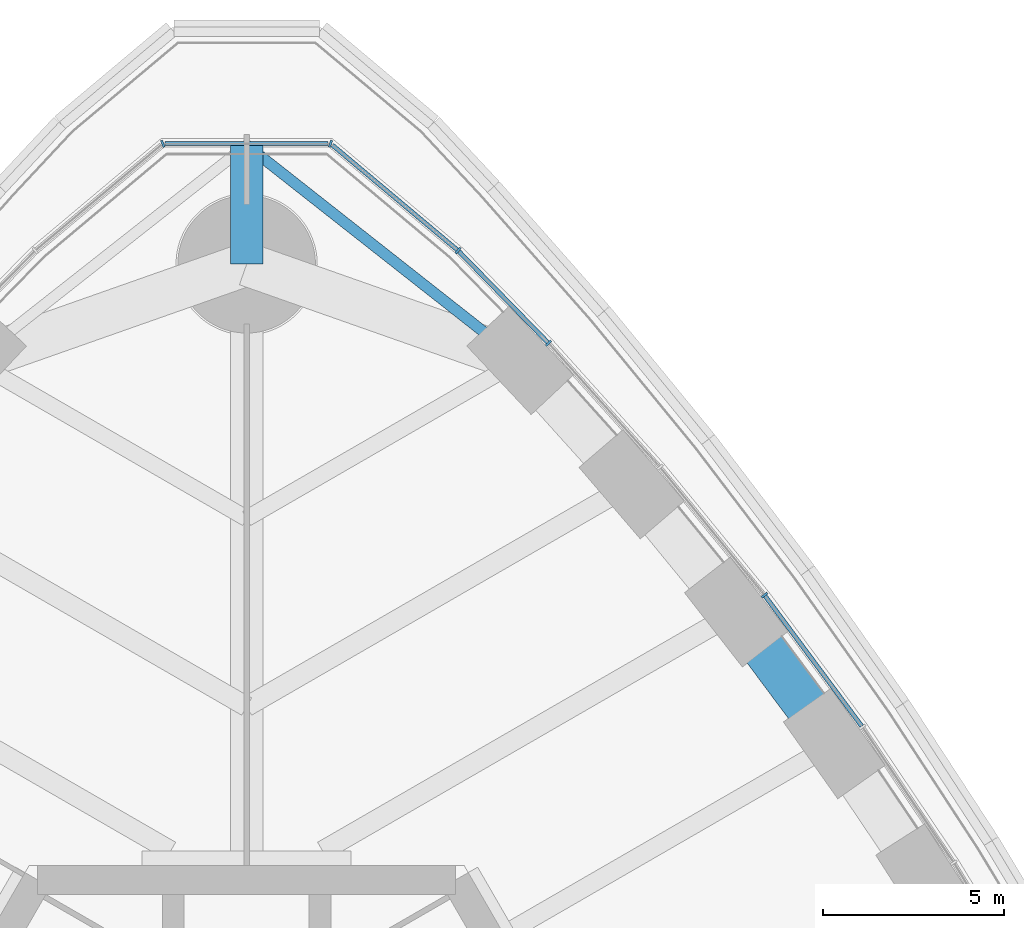
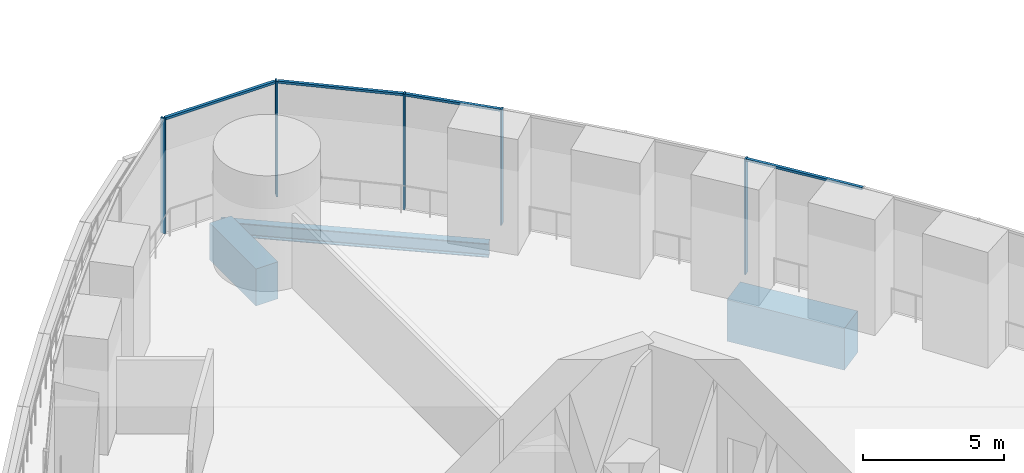
# One storey, part 9 of 31: 9 members, 3 beams, 2 elements without a shape of their own.
"""IFC4 building model written with IfcOpenShell, lengths in metres."""

from ifc_helpers import new_model, si_unit, direction, frame, origin, origin_2d, place, context, subcontext, project, spatial, rectangle, i_section, extrude, material, material_profile, profile_set, type_object, element, aggregate, save


model = new_model("IFC4")

# Units and contexts
model_context = context("Model", 3, precision=1e-05, world=origin(), true_north=direction((0.0, 1.0)))
body_context = subcontext(model_context, "Body", "Model", "MODEL_VIEW")
ifc_project = project(units=[si_unit("LENGTHUNIT", "METRE"), si_unit("AREAUNIT", "SQUARE_METRE"), si_unit("VOLUMEUNIT", "CUBIC_METRE"), si_unit("PLANEANGLEUNIT", "RADIAN"), si_unit("MASSUNIT", "GRAM", prefix="KILO")], contexts=[model_context])

# Site, building, storey
site_placement = place(None, origin())
site = spatial("IfcSite", under=ifc_project, at=site_placement, CompositionType="ELEMENT")
building_placement = place(site_placement, origin())
building = spatial("IfcBuilding", under=site, at=building_placement, Name="Trefoil Bronze Tower", CompositionType="ELEMENT")
storey_placement = place(building_placement, frame((0.0, 0.0, 184.699951171875)))
storey = spatial("IfcBuildingStorey", under=building, at=storey_placement, Name="L42", CompositionType="ELEMENT", Elevation=184.699951171875)

# Curtain wall, members
ifc_material_1 = material(Name="Tinted solar-control glass", Category="glass")
curtain_wall_type_1 = type_object("IfcCurtainWallType", Name="Bronze rounded corner curtain wall", PredefinedType="USERDEFINED", material=ifc_material_1)
curtain_wall_1_placement = place(storey_placement, origin())
curtain_wall_1 = element("IfcCurtainWall", 1, at=curtain_wall_1_placement, inside=storey, type_object=curtain_wall_type_1, Name="CW-B L42 K2", ObjectType="CURTAIN WALL", PredefinedType="USERDEFINED")
ifc_material_2 = material(Name="Bronze-finish aluminium", Category="aluminium")
ifc_material_profile_1 = material_profile(ifc_material_2, rectangle(XDim=0.199951171875, YDim=0.06005859375, at=origin_2d()), Name="CW-B mullion")
ifc_profile_set_1 = profile_set([ifc_material_profile_1], Name="Bronze-finish aluminium")
member_type_1 = type_object("IfcMemberType", Name="Bronze rounded corner curtain wall mullion", PredefinedType="MULLION", material=ifc_profile_set_1)
member_1_placement = place(storey_placement, frame((5.837890625, 33.3779296875, 0.0), z_axis=(0.0, 0.0, 1.0), x_axis=(-0.642787609687, -0.766044443119, 0.0)))
member_1 = element("IfcMember", 2, at=member_1_placement, type_object=member_type_1, Name="CW-B L42 K2 mullion 1", PredefinedType="MULLION", context=body_context, shape_type="SweptSolid", body=[
    extrude(rectangle(XDim=0.199951171875, YDim=0.06005859375, at=origin_2d()), origin(), (0.0, 0.0, 1.0), 4.97998046875),
])
member_2_placement = place(storey_placement, frame((2.314453125, 36.326416015625, 0.0), z_axis=(0.0, 0.0, 1.0), x_axis=(-0.342020143326, -0.939692620786, 0.0)))
member_2 = element("IfcMember", 3, at=member_2_placement, type_object=member_type_1, Name="CW-B L42 K2 mullion 2", PredefinedType="MULLION", context=body_context, shape_type="SweptSolid", body=[
    extrude(rectangle(XDim=0.199951171875, YDim=0.06005859375, at=origin_2d()), origin(), (0.0, 0.0, 1.0), 4.97998046875),
])
member_3_placement = place(storey_placement, frame((-2.314453125, 36.326416015625, 0.0), z_axis=(0.0, 0.0, 1.0), x_axis=(0.342020143326, -0.939692620786, 0.0)))
member_3 = element("IfcMember", 4, at=member_3_placement, type_object=member_type_1, Name="CW-B L42 K2 mullion 3", PredefinedType="MULLION", context=body_context, shape_type="SweptSolid", body=[
    extrude(rectangle(XDim=0.199951171875, YDim=0.06005859375, at=origin_2d()), origin(), (0.0, 0.0, 1.0), 4.97998046875),
])
ifc_material_3 = material(Name="Bronze-finish aluminium", Category="aluminium")
ifc_material_profile_2 = material_profile(ifc_material_3, rectangle(XDim=0.1201171875, YDim=0.10009765625, at=origin_2d()), Name="CW-B transom")
ifc_profile_set_2 = profile_set([ifc_material_profile_2], Name="Bronze-finish aluminium")
member_type_2 = type_object("IfcMemberType", Name="Bronze rounded corner curtain wall transom", PredefinedType="USERDEFINED", material=ifc_profile_set_2)
member_4_placement = place(storey_placement, frame((5.814697265625, 33.397216796875, 4.929931640625), z_axis=(-0.766046761698, 0.642784846501, 0.0), x_axis=(-0.642784846501, -0.766046761698, 0.0)))
member_4 = element("IfcMember", 5, at=member_4_placement, type_object=member_type_2, Name="CW-B L42 K2 transom 1", ObjectType="TRANSOM", PredefinedType="USERDEFINED", context=body_context, shape_type="SweptSolid", body=[
    extrude(rectangle(XDim=0.1201171875, YDim=0.10009765625, at=origin_2d()), origin(), (0.0, 0.0, 1.0), 4.5),
])
member_5_placement = place(storey_placement, frame((2.250244140625, 36.33251953125, 4.929931640625), z_axis=(-1.0, 0.0, 0.0), x_axis=(0.0, -1.0, 0.0)))
member_5 = element("IfcMember", 6, at=member_5_placement, type_object=member_type_2, Name="CW-B L42 K2 transom 2", ObjectType="TRANSOM", PredefinedType="USERDEFINED", context=body_context, shape_type="SweptSolid", body=[
    extrude(rectangle(XDim=0.1201171875, YDim=0.10009765625, at=origin_2d()), origin(), (0.0, 0.0, 1.0), 4.50048828125),
])
aggregate(curtain_wall_1, [member_1, member_2, member_3, member_4, member_5])

ifc_material_4 = material(Name="Tinted solar-control glass", Category="glass")
curtain_wall_type_2 = type_object("IfcCurtainWallType", Name="Bronze sky lobby curtain wall", PredefinedType="USERDEFINED", material=ifc_material_4)
curtain_wall_2_placement = place(storey_placement, origin())
curtain_wall_2 = element("IfcCurtainWall", 7, at=curtain_wall_2_placement, inside=storey, type_object=curtain_wall_type_2, Name="CW-D L42 F2", ObjectType="CURTAIN WALL", PredefinedType="USERDEFINED")
ifc_material_5 = material(Name="Bronze-finish aluminium", Category="aluminium")
ifc_material_profile_3 = material_profile(ifc_material_5, rectangle(XDim=0.199951171875, YDim=0.06005859375, at=origin_2d()), Name="CW-D mullion")
ifc_profile_set_3 = profile_set([ifc_material_profile_3], Name="Bronze-finish aluminium")
member_type_3 = type_object("IfcMemberType", Name="Bronze sky lobby curtain wall mullion", PredefinedType="MULLION", material=ifc_profile_set_3)
member_6_placement = place(storey_placement, frame((14.300537109375, 23.86083984375, 0.0), z_axis=(0.0, 0.0, 1.0), x_axis=(-0.788821461078, -0.614622406476, 0.0)))
member_6 = element("IfcMember", 8, at=member_6_placement, type_object=member_type_3, Name="CW-D L42 F2 mullion 10", PredefinedType="MULLION", context=body_context, shape_type="SweptSolid", body=[
    extrude(rectangle(XDim=0.199951171875, YDim=0.06005859375, at=origin_2d()), origin(), (0.0, 0.0, 1.0), 4.97998046875),
])
member_7_placement = place(storey_placement, frame((8.336181640625, 30.81982421875, 0.0), z_axis=(0.0, 0.0, 1.0), x_axis=(-0.729859580661, -0.683597098091, 0.0)))
member_7 = element("IfcMember", 9, at=member_7_placement, type_object=member_type_3, Name="CW-D L42 F2 mullion 12", PredefinedType="MULLION", context=body_context, shape_type="SweptSolid", body=[
    extrude(rectangle(XDim=0.199951171875, YDim=0.06005859375, at=origin_2d()), origin(), (0.0, 0.0, 1.0), 4.97998046875),
])
ifc_material_6 = material(Name="Bronze-finish aluminium", Category="aluminium")
ifc_material_profile_4 = material_profile(ifc_material_6, rectangle(XDim=0.1201171875, YDim=0.10009765625, at=origin_2d()), Name="CW-D transom")
ifc_profile_set_4 = profile_set([ifc_material_profile_4], Name="Bronze-finish aluminium")
member_type_4 = type_object("IfcMemberType", Name="Bronze sky lobby curtain wall transom", PredefinedType="USERDEFINED", material=ifc_profile_set_4)
member_8_placement = place(storey_placement, frame((16.984619140625, 20.24609375, 4.929931640625), z_axis=(-0.596148010647, 0.802874553963, 0.0), x_axis=(-0.802874553963, -0.596148010647, 0.0)))
member_8 = element("IfcMember", 10, at=member_8_placement, type_object=member_type_4, Name="CW-D L42 F2 transom 9", ObjectType="TRANSOM", PredefinedType="USERDEFINED", context=body_context, shape_type="SweptSolid", body=[
    extrude(rectangle(XDim=0.1201171875, YDim=0.10009765625, at=origin_2d()), origin(), (0.0, 0.0, 1.0), 4.469970703125),
])
member_9_placement = place(storey_placement, frame((8.31396484375, 30.843017578125, 4.929931640625), z_axis=(-0.698695569069, 0.715419109168, 0.0), x_axis=(-0.715419109168, -0.698695569069, 0.0)))
member_9 = element("IfcMember", 11, at=member_9_placement, type_object=member_type_4, Name="CW-D L42 F2 transom 12", ObjectType="TRANSOM", PredefinedType="USERDEFINED", context=body_context, shape_type="SweptSolid", body=[
    extrude(rectangle(XDim=0.1201171875, YDim=0.10009765625, at=origin_2d()), origin(), (0.0, 0.0, 1.0), 3.503662109375),
])
aggregate(curtain_wall_2, [member_6, member_7, member_8, member_9])

# Beams
ifc_material_7 = material(Name="Concrete B80", Category="concrete")
ifc_material_profile_5 = material_profile(ifc_material_7, rectangle(XDim=0.89990234375, YDim=1.60009765625, at=origin_2d()), Name="RC 900x1600")
ifc_profile_set_5 = profile_set([ifc_material_profile_5], Name="Concrete B80")
beam_type_1 = type_object("IfcBeamType", Name="Corner cantilever RC 900x1600", PredefinedType="BEAM", material=ifc_profile_set_5)
beam_1_placement = place(storey_placement, frame((0.0, 33.0, -1.0), z_axis=(0.0, 1.0, 0.0), x_axis=(-1.0, 0.0, 0.0)))
element("IfcBeam", 12, at=beam_1_placement, inside=storey, type_object=beam_type_1, Name="Corner cantilever K2 L42", PredefinedType="BEAM", context=body_context, shape_type="SweptSolid", body=[
    extrude(rectangle(XDim=0.89990234375, YDim=1.60009765625, at=origin_2d()), origin(), (0.0, 0.0, 1.0), 3.28466796875),
])
ifc_material_8 = material(Name="Steel C355", Category="steel")
ifc_material_profile_6 = material_profile(ifc_material_8, i_section(OverallWidth=0.300048828125, OverallDepth=0.60009765625, WebThickness=0.015380859375, FlangeThickness=0.030029296875, FilletRadius=0.027099609375, at=origin_2d()), Name="HEB 600")
ifc_profile_set_6 = profile_set([ifc_material_profile_6], Name="Steel C355")
beam_type_2 = type_object("IfcBeamType", Name="Corner edge beam HEB 600", PredefinedType="BEAM", material=ifc_profile_set_6)
beam_2_placement = place(storey_placement, frame((7.552001953125, 30.3408203125, -0.5), z_axis=(-0.785805912008, 0.618473175371, 0.0), x_axis=(-0.618473175371, -0.785805912008, 0.0)))
element("IfcBeam", 13, at=beam_2_placement, inside=storey, type_object=beam_type_2, Name="Corner edge beam F2A L42", PredefinedType="BEAM", context=body_context, shape_type="SweptSolid", body=[
    extrude(i_section(OverallWidth=0.300048828125, OverallDepth=0.60009765625, WebThickness=0.015380859375, FlangeThickness=0.030029296875, FilletRadius=0.027099609375, at=origin_2d()), origin(), (0.0, 0.0, 1.0), 9.610595703125),
])
ifc_material_9 = material(Name="Concrete B80", Category="concrete")
ifc_material_profile_7 = material_profile(ifc_material_9, rectangle(XDim=1.199951171875, YDim=1.800048828125, at=origin_2d()), Name="RC 1200x1800")
ifc_profile_set_7 = profile_set([ifc_material_profile_7], Name="Concrete B80")
beam_type_3 = type_object("IfcBeamType", Name="Spandrel beam RC 1200x1800", PredefinedType="SPANDREL", material=ifc_profile_set_7)
beam_3_placement = place(storey_placement, frame((16.2265625, 19.7607421875, -1.099853515625), z_axis=(-0.596926078257, 0.802296240236, 0.0), x_axis=(-0.802296240236, -0.596926078257, 0.0)))
element("IfcBeam", 14, at=beam_3_placement, inside=storey, type_object=beam_type_3, Name="Spandrel F2.9 L42", PredefinedType="SPANDREL", context=body_context, shape_type="SweptSolid", body=[
    extrude(rectangle(XDim=1.199951171875, YDim=1.800048828125, at=origin_2d()), origin(), (0.0, 0.0, 1.0), 4.530517578125),
])

save(model, "model.ifc")
